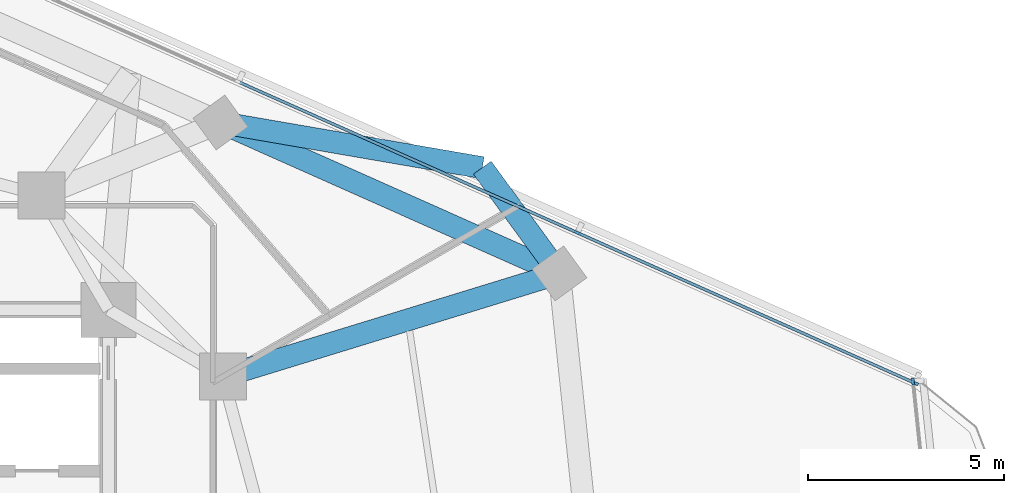
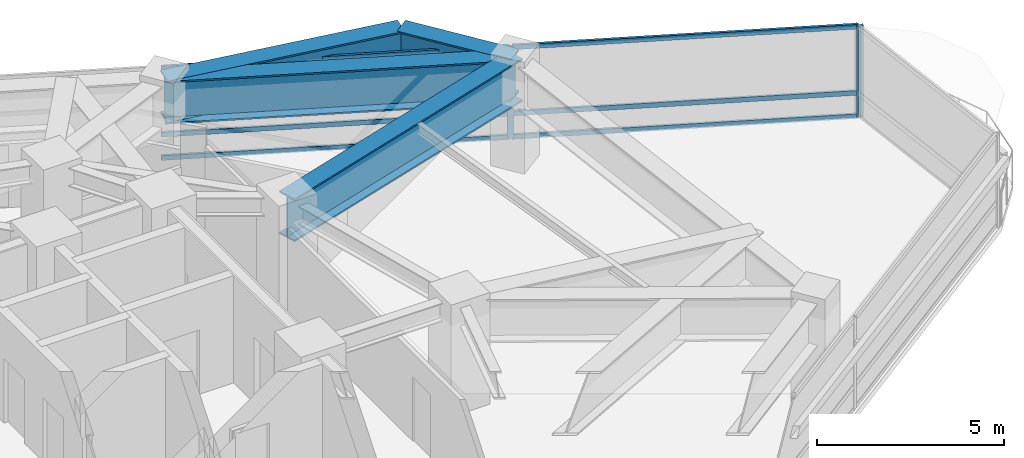
# One storey, part 6 of 14: 9 members, 4 beams, 2 elements without a shape of their own.
"""IFC4 building model written with IfcOpenShell, lengths in metres."""

from ifc_helpers import new_model, si_unit, direction, frame, origin, origin_2d, place, context, subcontext, project, spatial, rectangle, i_section, extrude, material, layer, layer_set, material_profile, profile_set, type_object, element, aggregate, save


model = new_model("IFC4")

# Units and contexts
model_context = context("Model", 3, precision=1e-05, world=origin(), true_north=direction((0.0, 1.0)))
body_context = subcontext(model_context, "Body", "Model", "MODEL_VIEW")
ifc_project = project(units=[si_unit("LENGTHUNIT", "METRE"), si_unit("AREAUNIT", "SQUARE_METRE"), si_unit("VOLUMEUNIT", "CUBIC_METRE"), si_unit("PLANEANGLEUNIT", "RADIAN"), si_unit("MASSUNIT", "GRAM", prefix="KILO")], contexts=[model_context])

# Site, building, storey
site_placement = place(None, origin())
site = spatial("IfcSite", under=ifc_project, at=site_placement, CompositionType="ELEMENT")
building_placement = place(site_placement, origin())
building = spatial("IfcBuilding", under=site, at=building_placement, Name="Terralouvre Media Tower", CompositionType="ELEMENT")
storey_placement = place(building_placement, frame((0.0, 0.0, 180.5)))
storey = spatial("IfcBuildingStorey", under=building, at=storey_placement, Name="L46", CompositionType="ELEMENT", Elevation=180.5)

# Curtain wall, members
ifc_material_1 = material(Name="Low-iron laminated double glazing with solar-control coating", Category="glass")
ifc_layer_1 = layer(ifc_material_1, 0.1650390625, Name="Production Studio Tower Curtain Wall CW-03")
ifc_layer_set_1 = layer_set([ifc_layer_1], Name="Low-iron laminated double glazing with solar-control coating")
curtain_wall_type_1 = type_object("IfcCurtainWallType", Name="Production Studio Tower Curtain Wall CW-03", PredefinedType="NOTDEFINED", material=ifc_layer_set_1)
curtain_wall_1_placement = place(storey_placement, origin())
curtain_wall_1 = element("IfcCurtainWall", 1, at=curtain_wall_1_placement, inside=storey, type_object=curtain_wall_type_1, Name="L46 Facade Curtain Wall F1", PredefinedType="NOTDEFINED")
ifc_material_2 = material(Name="Anodised extruded aluminium 6063-T6", Category="aluminium")
ifc_material_profile_1 = material_profile(ifc_material_2, rectangle(XDim=0.074951171875, YDim=0.14990234375, at=origin_2d()), Name="ALU 75x150")
ifc_profile_set_1 = profile_set([ifc_material_profile_1], Name="Anodised extruded aluminium 6063-T6")
member_type_1 = type_object("IfcMemberType", Name="Curtain-Wall Horizontal Transom TR-150", PredefinedType="USERDEFINED", material=ifc_profile_set_1)
member_1_placement = place(storey_placement, frame((28.4892578125, 6.1494140625, 0.03759765625), z_axis=(-0.913539345669, 0.406750370515, 0.0), x_axis=(-0.406750370515, -0.913539345669, 0.0)))
member_1 = element("IfcMember", 2, at=member_1_placement, type_object=member_type_1, Name="CW-03 transom 1.1", ObjectType="TRANSOM", PredefinedType="USERDEFINED", context=body_context, shape_type="SweptSolid", body=[
    extrude(rectangle(XDim=0.074951171875, YDim=0.14990234375, at=origin_2d()), origin(), (0.0, 0.0, 1.0), 9.327392578125),
])
member_2_placement = place(storey_placement, frame((28.4892578125, 6.1494140625, 0.800048828125), z_axis=(-0.913539345669, 0.406750370515, 0.0), x_axis=(-0.406750370515, -0.913539345669, 0.0)))
member_2 = element("IfcMember", 3, at=member_2_placement, type_object=member_type_1, Name="CW-03 transom 1.2", ObjectType="TRANSOM", PredefinedType="USERDEFINED", context=body_context, shape_type="SweptSolid", body=[
    extrude(rectangle(XDim=0.074951171875, YDim=0.14990234375, at=origin_2d()), origin(), (0.0, 0.0, 1.0), 9.327392578125),
])
member_3_placement = place(storey_placement, frame((28.4892578125, 6.1494140625, 2.96240234375), z_axis=(-0.913539345669, 0.406750370515, 0.0), x_axis=(-0.406750370515, -0.913539345669, 0.0)))
member_3 = element("IfcMember", 4, at=member_3_placement, type_object=member_type_1, Name="CW-03 transom 1.3", ObjectType="TRANSOM", PredefinedType="USERDEFINED", context=body_context, shape_type="SweptSolid", body=[
    extrude(rectangle(XDim=0.074951171875, YDim=0.14990234375, at=origin_2d()), origin(), (0.0, 0.0, 1.0), 9.327392578125),
])
member_4_placement = place(storey_placement, frame((19.899658203125, 9.973876953125, 0.03759765625), z_axis=(-0.913546899195, 0.40673340528, 0.0), x_axis=(-0.40673340528, -0.913546899195, 0.0)))
member_4 = element("IfcMember", 5, at=member_4_placement, type_object=member_type_1, Name="CW-03 transom 2.1", ObjectType="TRANSOM", PredefinedType="USERDEFINED", context=body_context, shape_type="SweptSolid", body=[
    extrude(rectangle(XDim=0.074951171875, YDim=0.14990234375, at=origin_2d()), origin(), (0.0, 0.0, 1.0), 9.364990234375),
])
member_5_placement = place(storey_placement, frame((19.899658203125, 9.973876953125, 0.800048828125), z_axis=(-0.913546899195, 0.40673340528, 0.0), x_axis=(-0.40673340528, -0.913546899195, 0.0)))
member_5 = element("IfcMember", 6, at=member_5_placement, type_object=member_type_1, Name="CW-03 transom 2.2", ObjectType="TRANSOM", PredefinedType="USERDEFINED", context=body_context, shape_type="SweptSolid", body=[
    extrude(rectangle(XDim=0.074951171875, YDim=0.14990234375, at=origin_2d()), origin(), (0.0, 0.0, 1.0), 9.364990234375),
])
member_6_placement = place(storey_placement, frame((19.899658203125, 9.973876953125, 2.96240234375), z_axis=(-0.913546899195, 0.40673340528, 0.0), x_axis=(-0.40673340528, -0.913546899195, 0.0)))
member_6 = element("IfcMember", 7, at=member_6_placement, type_object=member_type_1, Name="CW-03 transom 2.3", ObjectType="TRANSOM", PredefinedType="USERDEFINED", context=body_context, shape_type="SweptSolid", body=[
    extrude(rectangle(XDim=0.074951171875, YDim=0.14990234375, at=origin_2d()), origin(), (0.0, 0.0, 1.0), 9.364990234375),
])
ifc_material_3 = material(Name="Anodised extruded aluminium 6063-T6", Category="aluminium")
ifc_material_profile_2 = material_profile(ifc_material_3, rectangle(XDim=0.074951171875, YDim=0.179931640625, at=origin_2d()), Name="ALU 75x180")
ifc_profile_set_2 = profile_set([ifc_material_profile_2], Name="Anodised extruded aluminium 6063-T6")
member_type_2 = type_object("IfcMemberType", Name="Curtain-Wall Vertical Mullion ML-180", PredefinedType="MULLION", material=ifc_profile_set_2)
member_7_placement = place(storey_placement, frame((28.5234375, 6.13427734375, 0.0), z_axis=(0.0, 0.0, 1.0), x_axis=(-0.406736616337, -0.913545469547, 0.0)))
member_7 = element("IfcMember", 8, at=member_7_placement, type_object=member_type_2, Name="CW-03 mullion 1", PredefinedType="MULLION", context=body_context, shape_type="SweptSolid", body=[
    extrude(rectangle(XDim=0.074951171875, YDim=0.179931640625, at=origin_2d()), origin(), (0.0, 0.0, 1.0), 3.0),
])
member_8_placement = place(storey_placement, frame((19.933837890625, 9.95849609375, 0.0), z_axis=(0.0, 0.0, 1.0), x_axis=(-0.406736616337, -0.913545469547, 0.0)))
member_8 = element("IfcMember", 9, at=member_8_placement, type_object=member_type_2, Name="CW-03 mullion 2", PredefinedType="MULLION", context=body_context, shape_type="SweptSolid", body=[
    extrude(rectangle(XDim=0.074951171875, YDim=0.179931640625, at=origin_2d()), origin(), (0.0, 0.0, 1.0), 3.0),
])
aggregate(curtain_wall_1, [member_7, member_8, member_1, member_2, member_3, member_4, member_5, member_6])

# Curtain wall, member
ifc_material_4 = material(Name="Low-iron laminated double glazing with solar-control coating", Category="glass")
ifc_layer_2 = layer(ifc_material_4, 0.1650390625, Name="Rounded Wind-Corner Curved Glazing CW-04")
ifc_layer_set_2 = layer_set([ifc_layer_2], Name="Low-iron laminated double glazing with solar-control coating")
curtain_wall_type_2 = type_object("IfcCurtainWallType", Name="Rounded Wind-Corner Curved Glazing CW-04", PredefinedType="NOTDEFINED", material=ifc_layer_set_2)
curtain_wall_2_placement = place(storey_placement, origin())
curtain_wall_2 = element("IfcCurtainWall", 10, at=curtain_wall_2_placement, inside=storey, type_object=curtain_wall_type_2, Name="L46 Rounded Wind-Corner Curtain Wall C1", PredefinedType="NOTDEFINED")
member_9_placement = place(storey_placement, frame((28.47119140625, 6.1767578125, 0.0), z_axis=(0.0, 0.0, 1.0), x_axis=(-0.994521891172, -0.10452850319, 0.0)))
member_9 = element("IfcMember", 11, at=member_9_placement, type_object=member_type_2, Name="CW-04 mullion 2", PredefinedType="MULLION", context=body_context, shape_type="SweptSolid", body=[
    extrude(rectangle(XDim=0.074951171875, YDim=0.179931640625, at=origin_2d()), origin(), (0.0, 0.0, 1.0), 3.0),
])
aggregate(curtain_wall_2, [member_9])

# Beams
ifc_material_5 = material(Name="Structural steel S460M", Category="steel")
ifc_material_profile_3 = material_profile(ifc_material_5, i_section(OverallWidth=0.56005859375, OverallDepth=1.39990234375, WebThickness=0.031982421875, FlangeThickness=0.050048828125, at=origin_2d()), Name="TG 1400x560")
ifc_profile_set_3 = profile_set([ifc_material_profile_3], Name="Structural steel S460M")
beam_type = type_object("IfcBeamType", Name="Welded Transfer Girder TG-1400 (TG 1400x560)", PredefinedType="USERDEFINED", material=ifc_profile_set_3)
beam_1_placement = place(storey_placement, frame((19.474365234375, 8.92626953125, 2.800048828125), z_axis=(-0.913547937667, 0.406731072803, 0.0), x_axis=(-0.406731072803, -0.913547937667, 0.0)))
element("IfcBeam", 12, at=beam_1_placement, inside=storey, type_object=beam_type, Name="L46 Framing Beam BM-L46-PR07", ObjectType="TRANSFER GIRDER", PredefinedType="USERDEFINED", context=body_context, shape_type="SweptSolid", body=[
    extrude(i_section(OverallWidth=0.56005859375, OverallDepth=1.39990234375, WebThickness=0.031982421875, FlangeThickness=0.050048828125, at=origin_2d()), origin(), (0.0, 0.0, 1.0), 9.440185546875),
])
beam_2_placement = place(storey_placement, frame((10.911865234375, 6.300048828125, 2.800048828125), z_axis=(0.956042083717, 0.293229490606, 0.0), x_axis=(-0.293229490606, 0.956042083717, 0.0)))
element("IfcBeam", 13, at=beam_2_placement, inside=storey, type_object=beam_type, Name="L46 Framing Beam BM-L46-RD07", ObjectType="TRANSFER GIRDER", PredefinedType="USERDEFINED", context=body_context, shape_type="SweptSolid", body=[
    extrude(i_section(OverallWidth=0.56005859375, OverallDepth=1.39990234375, WebThickness=0.031982421875, FlangeThickness=0.050048828125, at=origin_2d()), origin(), (0.0, 0.0, 1.0), 8.956298828125),
])
beam_3_placement = place(storey_placement, frame((17.51123046875, 11.616455078125, 2.800048828125), z_axis=(0.589474241482, -0.807787174093, 0.0), x_axis=(0.807787174093, 0.589474241482, 0.0)))
element("IfcBeam", 14, at=beam_3_placement, inside=storey, type_object=beam_type, Name="L46 Framing Beam BM-L46-TR05S1", ObjectType="TRANSFER GIRDER", PredefinedType="USERDEFINED", context=body_context, shape_type="SweptSolid", body=[
    extrude(i_section(OverallWidth=0.56005859375, OverallDepth=1.39990234375, WebThickness=0.031982421875, FlangeThickness=0.050048828125, at=origin_2d()), origin(), (0.0, 0.0, 1.0), 3.330322265625),
])
beam_4_placement = place(storey_placement, frame((17.51123046875, 11.616455078125, 2.800048828125), z_axis=(-0.985435706464, 0.170048429646, 0.0), x_axis=(-0.170048429646, -0.985435706464, 0.0)))
element("IfcBeam", 15, at=beam_4_placement, inside=storey, type_object=beam_type, Name="L46 Framing Beam BM-L46-TR05S2", ObjectType="TRANSFER GIRDER", PredefinedType="USERDEFINED", context=body_context, shape_type="SweptSolid", body=[
    extrude(i_section(OverallWidth=0.56005859375, OverallDepth=1.39990234375, WebThickness=0.031982421875, FlangeThickness=0.050048828125, at=origin_2d()), origin(), (0.0, 0.0, 1.0), 6.75927734375),
])

save(model, "model.ifc")
